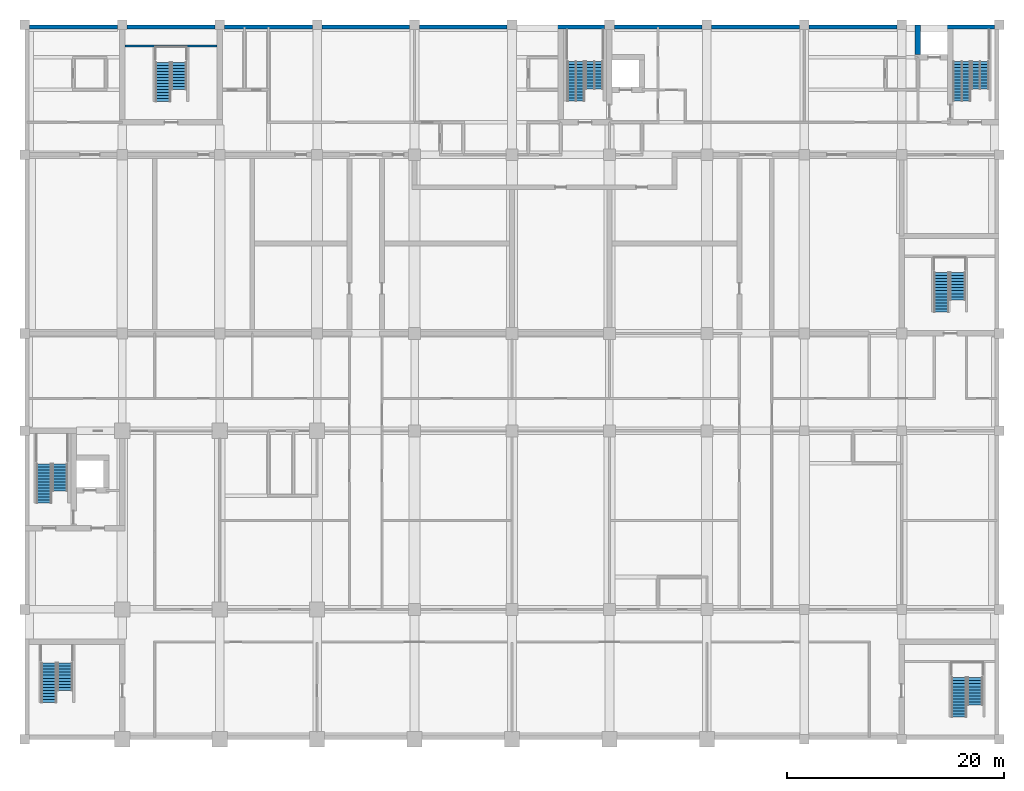
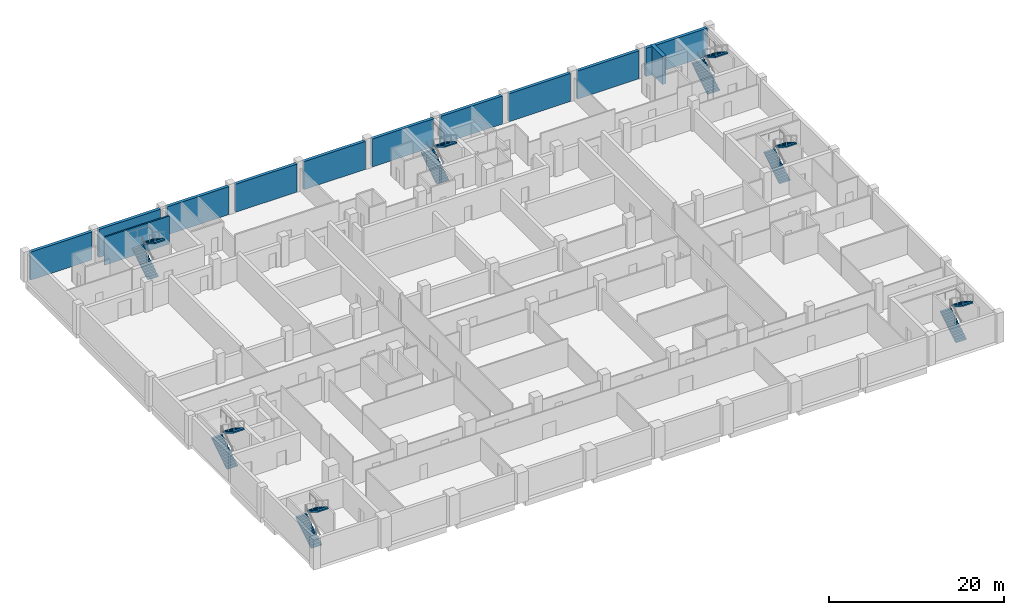
# One storey, part 12 of 16: 14 stair flights, 12 walls, 7 elements without a shape of their own.
"""IFC4 building model written with IfcOpenShell, lengths in metres."""

from ifc_helpers import new_model, si_unit, direction, frame, frame_2d, origin, place, context, subcontext, project, spatial, polyline, rectangle, outline, extrude, material, layer, layer_set, type_object, element, aggregate, save


model = new_model("IFC4")

# Units and contexts
model_context = context("Model", 3, precision=1e-05, world=origin(), true_north=direction((0.0, 1.0)))
body_context = subcontext(model_context, "Body", "Model", "MODEL_VIEW")
ifc_project = project(units=[si_unit("LENGTHUNIT", "METRE"), si_unit("AREAUNIT", "SQUARE_METRE"), si_unit("VOLUMEUNIT", "CUBIC_METRE"), si_unit("PLANEANGLEUNIT", "RADIAN"), si_unit("MASSUNIT", "GRAM", prefix="KILO")], contexts=[model_context])

# Site, building, storey
site_placement = place(None, origin())
site = spatial("IfcSite", under=ifc_project, at=site_placement, CompositionType="ELEMENT")
building_placement = place(site_placement, origin())
building = spatial("IfcBuilding", under=site, at=building_placement, Name="Aurelan Courthouse", CompositionType="ELEMENT")
storey_placement = place(building_placement, frame((0.0, 0.0, -4.199951171875)))
storey = spatial("IfcBuildingStorey", under=building, at=storey_placement, Name="B1", CompositionType="ELEMENT", Elevation=-4.199951171875)

# Walls
ifc_material_1 = material(Name="Concrete C50", Category="concrete")
ifc_layer_1 = layer(ifc_material_1, 0.39990234375)
ifc_layer_set_1 = layer_set([ifc_layer_1], Name="Concrete C50")
wall_type_1 = type_object("IfcWallType", Name="RC retaining wall 400", PredefinedType="SOLIDWALL", material=ifc_layer_set_1)
for number, where, z_axis, x_axis, name in (
    (1, (0.449951171875, 65.800048828125, 0.0), (0.0, 0.0, 1.0), (1.0, 0.0, 0.0), "Retaining wall SW-B1-048"),
    (2, (9.449951171875, 65.800048828125, 0.0), (0.0, 0.0, 1.0), (1.0, 0.0, 0.0), "Retaining wall SW-B1-049"),
    (3, (18.449951171875, 65.800048828125, 0.0), (0.0, 0.0, 1.0), (1.0, 0.0, 0.0), "Retaining wall SW-B1-050"),
    (4, (27.449951171875, 65.800048828125, 0.0), (0.0, 0.0, 1.0), (1.0, 0.0, 0.0), "Retaining wall SW-B1-051"),
    (5, (36.449951171875, 65.800048828125, 0.0), (0.0, 0.0, 1.0), (1.0, 0.0, 0.0), "Retaining wall SW-B1-052"),
    (6, (45.449951171875, 65.800048828125, 0.0), (0.0, 0.0, 1.0), (1.0, 0.0, 0.0), "Retaining wall SW-B1-053"),
    (7, (54.449951171875, 65.800048828125, 0.0), (0.0, 0.0, 1.0), (1.0, 0.0, 0.0), "Retaining wall SW-B1-054"),
    (8, (63.449951171875, 65.800048828125, 0.0), (0.0, 0.0, 1.0), (1.0, 0.0, 0.0), "Retaining wall SW-B1-055"),
    (9, (72.449951171875, 65.800048828125, 0.0), (0.0, 0.0, 1.0), (1.0, 0.0, 0.0), "Retaining wall SW-B1-056"),
    (10, (81.449951171875, 65.800048828125, 0.0), (0.0, 0.0, 1.0), (1.0, 0.0, 0.0), "Retaining wall SW-B1-057"),
):
    element("IfcWall", number, at=place(storey_placement, frame(where, z_axis=z_axis, x_axis=x_axis)), inside=storey, type_object=wall_type_1, Name=name, PredefinedType="SOLIDWALL", context=body_context, shape_type="SweptSolid", body=[
        extrude(rectangle(XDim=8.10009765625, YDim=0.39990234375, at=frame_2d((4.050048828125, 0.0))), origin(), (0.0, 0.0, 1.0), 3.89990234375),
    ])
ifc_layer_2 = layer(ifc_material_1, 0.5)
ifc_layer_set_2 = layer_set([ifc_layer_2], Name="Concrete C50")
wall_type_2 = type_object("IfcWallType", Name="RC shear wall 500", PredefinedType="SHEAR", material=ifc_layer_set_2)
wall_1_placement = place(storey_placement, frame((82.5, 63.25, 0.0), z_axis=(0.0, 0.0, 1.0), x_axis=(0.0, 1.0, 0.0)))
element("IfcWall", 11, at=wall_1_placement, inside=storey, type_object=wall_type_2, Name="Core wall SW-B1-047", PredefinedType="SHEAR", context=body_context, shape_type="SweptSolid", body=[
    extrude(rectangle(XDim=2.75, YDim=0.5, at=frame_2d((1.375, 0.0))), origin(), (0.0, 0.0, 1.0), 3.89990234375),
])
ifc_material_2 = material(Name="Concrete C30", Category="concrete")
ifc_layer_3 = layer(ifc_material_2, 0.199951171875)
ifc_layer_set_3 = layer_set([ifc_layer_3], Name="Concrete C30")
wall_type_3 = type_object("IfcWallType", Name="Stair well wall 200 EI 120 load-bearing", PredefinedType="SHEAR", material=ifc_layer_set_3)
wall_2_placement = place(storey_placement, frame((9.25, 64.044921875, 0.0), z_axis=(0.0, 0.0, 1.0), x_axis=(1.0, 0.0, 0.0)))
element("IfcWall", 12, at=wall_2_placement, inside=storey, type_object=wall_type_3, Name="Stair well wall BS-3-B1 C", PredefinedType="SHEAR", context=body_context, shape_type="SweptSolid", body=[
    extrude(rectangle(XDim=8.5, YDim=0.199951171875, at=frame_2d((4.25, 0.0))), origin(), (0.0, 0.0, 1.0), 3.89990234375),
])

# Stair, stair flights
stair_type_1 = type_object("IfcStairType", Name="Half-turn stair 1400 wide 24 risers", PredefinedType="HALF_TURN_STAIR", material=ifc_material_2)
stair_1_placement = place(storey_placement, origin())
stair_1 = element("IfcStair", 13, at=stair_1_placement, inside=storey, type_object=stair_type_1, Name="Stair BS-1-B1", PredefinedType="HALF_TURN_STAIR")
stair_flight_type_1 = type_object("IfcStairFlightType", Name="Stair flight 1400 wide 14 risers", PredefinedType="STRAIGHT", material=ifc_material_2)
stair_flight_1_placement = place(storey_placement, frame((2.2099609375, 3.39990234375, 0.0), z_axis=(0.0, 0.0, 1.0), x_axis=(0.0, 1.0, 0.0)))
stair_flight_1 = element("IfcStairFlight", 14, at=stair_flight_1_placement, type_object=stair_flight_type_1, Name="Stair BS-1-B1 flight 1", NumberOfRisers=14, NumberOfTreads=13, PredefinedType="STRAIGHT", RiserHeight=0.175, TreadLength=0.28, context=body_context, shape_type="SweptSolid", body=[
    extrude(outline(polyline([(0.0, 0.0), (0.0, 0.175048828125), (0.280029296875, 0.175048828125), (0.280029296875, 0.35009765625), (0.56005859375, 0.35009765625), (0.56005859375, 0.52490234375), (0.840087890625, 0.52490234375), (0.840087890625, 0.699951171875), (1.1201171875, 0.699951171875), (1.1201171875, 0.875), (1.39990234375, 0.875), (1.39990234375, 1.050048828125), (1.679931640625, 1.050048828125), (1.679931640625, 1.22509765625), (1.9599609375, 1.22509765625), (1.9599609375, 1.39990234375), (2.239990234375, 1.39990234375), (2.239990234375, 1.574951171875), (2.52001953125, 1.574951171875), (2.52001953125, 1.75), (2.800048828125, 1.75), (2.800048828125, 1.925048828125), (3.080078125, 1.925048828125), (3.080078125, 2.10009765625), (3.360107421875, 2.10009765625), (3.360107421875, 2.27490234375), (3.639892578125, 2.27490234375), (3.639892578125, 2.449951171875), (3.639892578125, 2.09814453125), (0.28271484375, 0.0), (0.0, 0.0)])), frame((0.0, 0.699951171875, 0.0), z_axis=(0.0, -1.0, 0.0), x_axis=(1.0, 0.0, 0.0)), (0.0, 0.0, 1.0), 1.39990234375),
])
stair_flight_2_placement = place(storey_placement, frame((3.7099609375, 7.0400390625, 2.449951171875), z_axis=(0.0, 0.0, 1.0), x_axis=(0.0, -1.0, 0.0)))
stair_flight_2 = element("IfcStairFlight", 15, at=stair_flight_2_placement, type_object=stair_flight_type_1, Name="Stair BS-1-B1 flight 2", NumberOfRisers=10, NumberOfTreads=9, PredefinedType="STRAIGHT", RiserHeight=0.175, TreadLength=0.28, context=body_context, shape_type="SweptSolid", body=[
    extrude(outline(polyline([(0.0, 0.0), (0.0, 0.175048828125), (0.280029296875, 0.175048828125), (0.280029296875, 0.35009765625), (0.56005859375, 0.35009765625), (0.56005859375, 0.52490234375), (0.840087890625, 0.52490234375), (0.840087890625, 0.699951171875), (1.1201171875, 0.699951171875), (1.1201171875, 0.875), (1.39990234375, 0.875), (1.39990234375, 1.050048828125), (1.679931640625, 1.050048828125), (1.679931640625, 1.22509765625), (1.9599609375, 1.22509765625), (1.9599609375, 1.39990234375), (2.239990234375, 1.39990234375), (2.239990234375, 1.574951171875), (2.52001953125, 1.574951171875), (2.52001953125, 1.75), (2.52001953125, 1.398193359375), (0.28271484375, 0.0), (0.0, 0.0)])), frame((0.0, 0.699951171875, 0.0), z_axis=(0.0, -1.0, 0.0), x_axis=(1.0, 0.0, 0.0)), (0.0, 0.0, 1.0), 1.39990234375),
])
aggregate(stair_1, [stair_flight_1, stair_flight_2])

stair_2_placement = place(storey_placement, origin())
stair_2 = element("IfcStair", 16, at=stair_2_placement, inside=storey, type_object=stair_type_1, Name="Stair BS-2-B1", PredefinedType="HALF_TURN_STAIR")
stair_flight_3_placement = place(storey_placement, frame((86.2900390625, 2.054931640625, 0.0), z_axis=(0.0, 0.0, 1.0), x_axis=(0.0, 1.0, 0.0)))
stair_flight_3 = element("IfcStairFlight", 17, at=stair_flight_3_placement, type_object=stair_flight_type_1, Name="Stair BS-2-B1 flight 1", NumberOfRisers=14, NumberOfTreads=13, PredefinedType="STRAIGHT", RiserHeight=0.175, TreadLength=0.28, context=body_context, shape_type="SweptSolid", body=[
    extrude(outline(polyline([(0.0, 0.0), (0.0, 0.175048828125), (0.280029296875, 0.175048828125), (0.280029296875, 0.35009765625), (0.56005859375, 0.35009765625), (0.56005859375, 0.52490234375), (0.840087890625, 0.52490234375), (0.840087890625, 0.699951171875), (1.1201171875, 0.699951171875), (1.1201171875, 0.875), (1.39990234375, 0.875), (1.39990234375, 1.050048828125), (1.679931640625, 1.050048828125), (1.679931640625, 1.22509765625), (1.9599609375, 1.22509765625), (1.9599609375, 1.39990234375), (2.239990234375, 1.39990234375), (2.239990234375, 1.574951171875), (2.52001953125, 1.574951171875), (2.52001953125, 1.75), (2.800048828125, 1.75), (2.800048828125, 1.925048828125), (3.080078125, 1.925048828125), (3.080078125, 2.10009765625), (3.360107421875, 2.10009765625), (3.360107421875, 2.27490234375), (3.639892578125, 2.27490234375), (3.639892578125, 2.449951171875), (3.639892578125, 2.09814453125), (0.28271484375, 0.0), (0.0, 0.0)])), frame((0.0, 0.699951171875, 0.0), z_axis=(0.0, -1.0, 0.0), x_axis=(1.0, 0.0, 0.0)), (0.0, 0.0, 1.0), 1.39990234375),
])
stair_flight_4_placement = place(storey_placement, frame((87.7900390625, 5.695068359375, 2.449951171875), z_axis=(0.0, 0.0, 1.0), x_axis=(0.0, -1.0, 0.0)))
stair_flight_4 = element("IfcStairFlight", 18, at=stair_flight_4_placement, type_object=stair_flight_type_1, Name="Stair BS-2-B1 flight 2", NumberOfRisers=10, NumberOfTreads=9, PredefinedType="STRAIGHT", RiserHeight=0.175, TreadLength=0.28, context=body_context, shape_type="SweptSolid", body=[
    extrude(outline(polyline([(0.0, 0.0), (0.0, 0.175048828125), (0.280029296875, 0.175048828125), (0.280029296875, 0.35009765625), (0.56005859375, 0.35009765625), (0.56005859375, 0.52490234375), (0.840087890625, 0.52490234375), (0.840087890625, 0.699951171875), (1.1201171875, 0.699951171875), (1.1201171875, 0.875), (1.39990234375, 0.875), (1.39990234375, 1.050048828125), (1.679931640625, 1.050048828125), (1.679931640625, 1.22509765625), (1.9599609375, 1.22509765625), (1.9599609375, 1.39990234375), (2.239990234375, 1.39990234375), (2.239990234375, 1.574951171875), (2.52001953125, 1.574951171875), (2.52001953125, 1.75), (2.52001953125, 1.398193359375), (0.28271484375, 0.0), (0.0, 0.0)])), frame((0.0, 0.699951171875, 0.0), z_axis=(0.0, -1.0, 0.0), x_axis=(1.0, 0.0, 0.0)), (0.0, 0.0, 1.0), 1.39990234375),
])
aggregate(stair_2, [stair_flight_3, stair_flight_4])

stair_3_placement = place(storey_placement, origin())
stair_3 = element("IfcStair", 19, at=stair_3_placement, inside=storey, type_object=stair_type_1, Name="Stair BS-3-B1", PredefinedType="HALF_TURN_STAIR")
stair_flight_5_placement = place(storey_placement, frame((12.75, 58.905029296875, 0.0), z_axis=(0.0, 0.0, 1.0), x_axis=(0.0, 1.0, 0.0)))
stair_flight_5 = element("IfcStairFlight", 20, at=stair_flight_5_placement, type_object=stair_flight_type_1, Name="Stair BS-3-B1 flight 1", NumberOfRisers=14, NumberOfTreads=13, PredefinedType="STRAIGHT", RiserHeight=0.175, TreadLength=0.28, context=body_context, shape_type="SweptSolid", body=[
    extrude(outline(polyline([(0.0, 0.0), (0.0, 0.175048828125), (0.280029296875, 0.175048828125), (0.280029296875, 0.35009765625), (0.56005859375, 0.35009765625), (0.56005859375, 0.52490234375), (0.840087890625, 0.52490234375), (0.840087890625, 0.699951171875), (1.1201171875, 0.699951171875), (1.1201171875, 0.875), (1.39990234375, 0.875), (1.39990234375, 1.050048828125), (1.679931640625, 1.050048828125), (1.679931640625, 1.22509765625), (1.9599609375, 1.22509765625), (1.9599609375, 1.39990234375), (2.239990234375, 1.39990234375), (2.239990234375, 1.574951171875), (2.52001953125, 1.574951171875), (2.52001953125, 1.75), (2.800048828125, 1.75), (2.800048828125, 1.925048828125), (3.080078125, 1.925048828125), (3.080078125, 2.10009765625), (3.360107421875, 2.10009765625), (3.360107421875, 2.27490234375), (3.639892578125, 2.27490234375), (3.639892578125, 2.449951171875), (3.639892578125, 2.09814453125), (0.28271484375, 0.0), (0.0, 0.0)])), frame((0.0, 0.699951171875, 0.0), z_axis=(0.0, -1.0, 0.0), x_axis=(1.0, 0.0, 0.0)), (0.0, 0.0, 1.0), 1.39990234375),
])
stair_flight_6_placement = place(storey_placement, frame((14.25, 62.544921875, 2.449951171875), z_axis=(0.0, 0.0, 1.0), x_axis=(0.0, -1.0, 0.0)))
stair_flight_6 = element("IfcStairFlight", 21, at=stair_flight_6_placement, type_object=stair_flight_type_1, Name="Stair BS-3-B1 flight 2", NumberOfRisers=10, NumberOfTreads=9, PredefinedType="STRAIGHT", RiserHeight=0.175, TreadLength=0.28, context=body_context, shape_type="SweptSolid", body=[
    extrude(outline(polyline([(0.0, 0.0), (0.0, 0.175048828125), (0.280029296875, 0.175048828125), (0.280029296875, 0.35009765625), (0.56005859375, 0.35009765625), (0.56005859375, 0.52490234375), (0.840087890625, 0.52490234375), (0.840087890625, 0.699951171875), (1.1201171875, 0.699951171875), (1.1201171875, 0.875), (1.39990234375, 0.875), (1.39990234375, 1.050048828125), (1.679931640625, 1.050048828125), (1.679931640625, 1.22509765625), (1.9599609375, 1.22509765625), (1.9599609375, 1.39990234375), (2.239990234375, 1.39990234375), (2.239990234375, 1.574951171875), (2.52001953125, 1.574951171875), (2.52001953125, 1.75), (2.52001953125, 1.398193359375), (0.28271484375, 0.0), (0.0, 0.0)])), frame((0.0, 0.699951171875, 0.0), z_axis=(0.0, -1.0, 0.0), x_axis=(1.0, 0.0, 0.0)), (0.0, 0.0, 1.0), 1.39990234375),
])
aggregate(stair_3, [stair_flight_5, stair_flight_6])

stair_4_placement = place(storey_placement, origin())
stair_4 = element("IfcStair", 22, at=stair_4_placement, inside=storey, type_object=stair_type_1, Name="Stair BS-4-B1", PredefinedType="HALF_TURN_STAIR")
stair_flight_7_placement = place(storey_placement, frame((84.675048828125, 39.47998046875, 0.0), z_axis=(0.0, 0.0, 1.0), x_axis=(0.0, 1.0, 0.0)))
stair_flight_7 = element("IfcStairFlight", 23, at=stair_flight_7_placement, type_object=stair_flight_type_1, Name="Stair BS-4-B1 flight 1", NumberOfRisers=14, NumberOfTreads=13, PredefinedType="STRAIGHT", RiserHeight=0.175, TreadLength=0.28, context=body_context, shape_type="SweptSolid", body=[
    extrude(outline(polyline([(0.0, 0.0), (0.0, 0.175048828125), (0.280029296875, 0.175048828125), (0.280029296875, 0.35009765625), (0.56005859375, 0.35009765625), (0.56005859375, 0.52490234375), (0.840087890625, 0.52490234375), (0.840087890625, 0.699951171875), (1.1201171875, 0.699951171875), (1.1201171875, 0.875), (1.39990234375, 0.875), (1.39990234375, 1.050048828125), (1.679931640625, 1.050048828125), (1.679931640625, 1.22509765625), (1.9599609375, 1.22509765625), (1.9599609375, 1.39990234375), (2.239990234375, 1.39990234375), (2.239990234375, 1.574951171875), (2.52001953125, 1.574951171875), (2.52001953125, 1.75), (2.800048828125, 1.75), (2.800048828125, 1.925048828125), (3.080078125, 1.925048828125), (3.080078125, 2.10009765625), (3.360107421875, 2.10009765625), (3.360107421875, 2.27490234375), (3.639892578125, 2.27490234375), (3.639892578125, 2.449951171875), (3.639892578125, 2.09814453125), (0.28271484375, 0.0), (0.0, 0.0)])), frame((0.0, 0.699951171875, 0.0), z_axis=(0.0, -1.0, 0.0), x_axis=(1.0, 0.0, 0.0)), (0.0, 0.0, 1.0), 1.39990234375),
])
stair_flight_8_placement = place(storey_placement, frame((86.175048828125, 43.1201171875, 2.449951171875), z_axis=(0.0, 0.0, 1.0), x_axis=(0.0, -1.0, 0.0)))
stair_flight_8 = element("IfcStairFlight", 24, at=stair_flight_8_placement, type_object=stair_flight_type_1, Name="Stair BS-4-B1 flight 2", NumberOfRisers=10, NumberOfTreads=9, PredefinedType="STRAIGHT", RiserHeight=0.175, TreadLength=0.28, context=body_context, shape_type="SweptSolid", body=[
    extrude(outline(polyline([(0.0, 0.0), (0.0, 0.175048828125), (0.280029296875, 0.175048828125), (0.280029296875, 0.35009765625), (0.56005859375, 0.35009765625), (0.56005859375, 0.52490234375), (0.840087890625, 0.52490234375), (0.840087890625, 0.699951171875), (1.1201171875, 0.699951171875), (1.1201171875, 0.875), (1.39990234375, 0.875), (1.39990234375, 1.050048828125), (1.679931640625, 1.050048828125), (1.679931640625, 1.22509765625), (1.9599609375, 1.22509765625), (1.9599609375, 1.39990234375), (2.239990234375, 1.39990234375), (2.239990234375, 1.574951171875), (2.52001953125, 1.574951171875), (2.52001953125, 1.75), (2.52001953125, 1.398193359375), (0.28271484375, 0.0), (0.0, 0.0)])), frame((0.0, 0.699951171875, 0.0), z_axis=(0.0, -1.0, 0.0), x_axis=(1.0, 0.0, 0.0)), (0.0, 0.0, 1.0), 1.39990234375),
])
aggregate(stair_4, [stair_flight_7, stair_flight_8])

stair_5_placement = place(storey_placement, origin())
stair_5 = element("IfcStair", 25, at=stair_5_placement, inside=storey, type_object=stair_type_1, Name="Stair ST-5B-B1", PredefinedType="HALF_TURN_STAIR")
stair_flight_9_placement = place(storey_placement, frame((1.760009765625, 21.81005859375, 0.0), z_axis=(0.0, 0.0, 1.0), x_axis=(0.0, 1.0, 0.0)))
stair_flight_9 = element("IfcStairFlight", 26, at=stair_flight_9_placement, type_object=stair_flight_type_1, Name="Stair ST-5B-B1 flight 1", NumberOfRisers=14, NumberOfTreads=13, PredefinedType="STRAIGHT", RiserHeight=0.175, TreadLength=0.28, context=body_context, shape_type="SweptSolid", body=[
    extrude(outline(polyline([(0.0, 0.0), (0.0, 0.175048828125), (0.280029296875, 0.175048828125), (0.280029296875, 0.35009765625), (0.56005859375, 0.35009765625), (0.56005859375, 0.52490234375), (0.840087890625, 0.52490234375), (0.840087890625, 0.699951171875), (1.1201171875, 0.699951171875), (1.1201171875, 0.875), (1.39990234375, 0.875), (1.39990234375, 1.050048828125), (1.679931640625, 1.050048828125), (1.679931640625, 1.22509765625), (1.9599609375, 1.22509765625), (1.9599609375, 1.39990234375), (2.239990234375, 1.39990234375), (2.239990234375, 1.574951171875), (2.52001953125, 1.574951171875), (2.52001953125, 1.75), (2.800048828125, 1.75), (2.800048828125, 1.925048828125), (3.080078125, 1.925048828125), (3.080078125, 2.10009765625), (3.360107421875, 2.10009765625), (3.360107421875, 2.27490234375), (3.639892578125, 2.27490234375), (3.639892578125, 2.449951171875), (3.639892578125, 2.09814453125), (0.28271484375, 0.0), (0.0, 0.0)])), frame((0.0, 0.699951171875, 0.0), z_axis=(0.0, -1.0, 0.0), x_axis=(1.0, 0.0, 0.0)), (0.0, 0.0, 1.0), 1.39990234375),
])
stair_flight_10_placement = place(storey_placement, frame((3.260009765625, 25.449951171875, 2.449951171875), z_axis=(0.0, 0.0, 1.0), x_axis=(0.0, -1.0, 0.0)))
stair_flight_10 = element("IfcStairFlight", 27, at=stair_flight_10_placement, type_object=stair_flight_type_1, Name="Stair ST-5B-B1 flight 2", NumberOfRisers=10, NumberOfTreads=9, PredefinedType="STRAIGHT", RiserHeight=0.175, TreadLength=0.28, context=body_context, shape_type="SweptSolid", body=[
    extrude(outline(polyline([(0.0, 0.0), (0.0, 0.175048828125), (0.280029296875, 0.175048828125), (0.280029296875, 0.35009765625), (0.56005859375, 0.35009765625), (0.56005859375, 0.52490234375), (0.840087890625, 0.52490234375), (0.840087890625, 0.699951171875), (1.1201171875, 0.699951171875), (1.1201171875, 0.875), (1.39990234375, 0.875), (1.39990234375, 1.050048828125), (1.679931640625, 1.050048828125), (1.679931640625, 1.22509765625), (1.9599609375, 1.22509765625), (1.9599609375, 1.39990234375), (2.239990234375, 1.39990234375), (2.239990234375, 1.574951171875), (2.52001953125, 1.574951171875), (2.52001953125, 1.75), (2.52001953125, 1.398193359375), (0.28271484375, 0.0), (0.0, 0.0)])), frame((0.0, 0.699951171875, 0.0), z_axis=(0.0, -1.0, 0.0), x_axis=(1.0, 0.0, 0.0)), (0.0, 0.0, 1.0), 1.39990234375),
])
aggregate(stair_5, [stair_flight_9, stair_flight_10])

stair_type_2 = type_object("IfcStairType", Name="Half-turn stair 1600 wide 24 risers", PredefinedType="HALF_TURN_STAIR", material=ifc_material_2)
stair_6_placement = place(storey_placement, origin())
stair_6 = element("IfcStair", 28, at=stair_6_placement, inside=storey, type_object=stair_type_2, Name="Stair ST-2A-B1", PredefinedType="HALF_TURN_STAIR")
stair_flight_type_2 = type_object("IfcStairFlightType", Name="Stair flight 1600 wide 14 risers", PredefinedType="STRAIGHT", material=ifc_material_2)
stair_flight_11_placement = place(storey_placement, frame((50.89990234375, 58.9599609375, 0.0), z_axis=(0.0, 0.0, 1.0), x_axis=(0.0, 1.0, 0.0)))
stair_flight_11 = element("IfcStairFlight", 29, at=stair_flight_11_placement, type_object=stair_flight_type_2, Name="Stair ST-2A-B1 flight 1", NumberOfRisers=14, NumberOfTreads=13, PredefinedType="STRAIGHT", RiserHeight=0.175, TreadLength=0.28, context=body_context, shape_type="SweptSolid", body=[
    extrude(outline(polyline([(0.0, 0.0), (0.0, 0.175048828125), (0.280029296875, 0.175048828125), (0.280029296875, 0.35009765625), (0.56005859375, 0.35009765625), (0.56005859375, 0.52490234375), (0.840087890625, 0.52490234375), (0.840087890625, 0.699951171875), (1.1201171875, 0.699951171875), (1.1201171875, 0.875), (1.39990234375, 0.875), (1.39990234375, 1.050048828125), (1.679931640625, 1.050048828125), (1.679931640625, 1.22509765625), (1.9599609375, 1.22509765625), (1.9599609375, 1.39990234375), (2.239990234375, 1.39990234375), (2.239990234375, 1.574951171875), (2.52001953125, 1.574951171875), (2.52001953125, 1.75), (2.800048828125, 1.75), (2.800048828125, 1.925048828125), (3.080078125, 1.925048828125), (3.080078125, 2.10009765625), (3.360107421875, 2.10009765625), (3.360107421875, 2.27490234375), (3.639892578125, 2.27490234375), (3.639892578125, 2.449951171875), (3.639892578125, 2.09814453125), (0.28271484375, 0.0), (0.0, 0.0)])), frame((0.0, 0.800048828125, 0.0), z_axis=(0.0, -1.0, 0.0), x_axis=(1.0, 0.0, 0.0)), (0.0, 0.0, 1.0), 1.60009765625),
])
stair_flight_12_placement = place(storey_placement, frame((52.60009765625, 62.60009765625, 2.449951171875), z_axis=(0.0, 0.0, 1.0), x_axis=(0.0, -1.0, 0.0)))
stair_flight_12 = element("IfcStairFlight", 30, at=stair_flight_12_placement, type_object=stair_flight_type_2, Name="Stair ST-2A-B1 flight 2", NumberOfRisers=10, NumberOfTreads=9, PredefinedType="STRAIGHT", RiserHeight=0.175, TreadLength=0.28, context=body_context, shape_type="SweptSolid", body=[
    extrude(outline(polyline([(0.0, 0.0), (0.0, 0.175048828125), (0.280029296875, 0.175048828125), (0.280029296875, 0.35009765625), (0.56005859375, 0.35009765625), (0.56005859375, 0.52490234375), (0.840087890625, 0.52490234375), (0.840087890625, 0.699951171875), (1.1201171875, 0.699951171875), (1.1201171875, 0.875), (1.39990234375, 0.875), (1.39990234375, 1.050048828125), (1.679931640625, 1.050048828125), (1.679931640625, 1.22509765625), (1.9599609375, 1.22509765625), (1.9599609375, 1.39990234375), (2.239990234375, 1.39990234375), (2.239990234375, 1.574951171875), (2.52001953125, 1.574951171875), (2.52001953125, 1.75), (2.52001953125, 1.398193359375), (0.28271484375, 0.0), (0.0, 0.0)])), frame((0.0, 0.800048828125, 0.0), z_axis=(0.0, -1.0, 0.0), x_axis=(1.0, 0.0, 0.0)), (0.0, 0.0, 1.0), 1.60009765625),
])
aggregate(stair_6, [stair_flight_11, stair_flight_12])

stair_7_placement = place(storey_placement, origin())
stair_7 = element("IfcStair", 31, at=stair_7_placement, inside=storey, type_object=stair_type_2, Name="Stair ST-3B-B1", PredefinedType="HALF_TURN_STAIR")
stair_flight_13_placement = place(storey_placement, frame((86.550048828125, 58.9599609375, 0.0), z_axis=(0.0, 0.0, 1.0), x_axis=(0.0, 1.0, 0.0)))
stair_flight_13 = element("IfcStairFlight", 32, at=stair_flight_13_placement, type_object=stair_flight_type_2, Name="Stair ST-3B-B1 flight 1", NumberOfRisers=14, NumberOfTreads=13, PredefinedType="STRAIGHT", RiserHeight=0.175, TreadLength=0.28, context=body_context, shape_type="SweptSolid", body=[
    extrude(outline(polyline([(0.0, 0.0), (0.0, 0.175048828125), (0.280029296875, 0.175048828125), (0.280029296875, 0.35009765625), (0.56005859375, 0.35009765625), (0.56005859375, 0.52490234375), (0.840087890625, 0.52490234375), (0.840087890625, 0.699951171875), (1.1201171875, 0.699951171875), (1.1201171875, 0.875), (1.39990234375, 0.875), (1.39990234375, 1.050048828125), (1.679931640625, 1.050048828125), (1.679931640625, 1.22509765625), (1.9599609375, 1.22509765625), (1.9599609375, 1.39990234375), (2.239990234375, 1.39990234375), (2.239990234375, 1.574951171875), (2.52001953125, 1.574951171875), (2.52001953125, 1.75), (2.800048828125, 1.75), (2.800048828125, 1.925048828125), (3.080078125, 1.925048828125), (3.080078125, 2.10009765625), (3.360107421875, 2.10009765625), (3.360107421875, 2.27490234375), (3.639892578125, 2.27490234375), (3.639892578125, 2.449951171875), (3.639892578125, 2.09814453125), (0.28271484375, 0.0), (0.0, 0.0)])), frame((0.0, 0.800048828125, 0.0), z_axis=(0.0, -1.0, 0.0), x_axis=(1.0, 0.0, 0.0)), (0.0, 0.0, 1.0), 1.60009765625),
])
stair_flight_14_placement = place(storey_placement, frame((88.25, 62.60009765625, 2.449951171875), z_axis=(0.0, 0.0, 1.0), x_axis=(0.0, -1.0, 0.0)))
stair_flight_14 = element("IfcStairFlight", 33, at=stair_flight_14_placement, type_object=stair_flight_type_2, Name="Stair ST-3B-B1 flight 2", NumberOfRisers=10, NumberOfTreads=9, PredefinedType="STRAIGHT", RiserHeight=0.175, TreadLength=0.28, context=body_context, shape_type="SweptSolid", body=[
    extrude(outline(polyline([(0.0, 0.0), (0.0, 0.175048828125), (0.280029296875, 0.175048828125), (0.280029296875, 0.35009765625), (0.56005859375, 0.35009765625), (0.56005859375, 0.52490234375), (0.840087890625, 0.52490234375), (0.840087890625, 0.699951171875), (1.1201171875, 0.699951171875), (1.1201171875, 0.875), (1.39990234375, 0.875), (1.39990234375, 1.050048828125), (1.679931640625, 1.050048828125), (1.679931640625, 1.22509765625), (1.9599609375, 1.22509765625), (1.9599609375, 1.39990234375), (2.239990234375, 1.39990234375), (2.239990234375, 1.574951171875), (2.52001953125, 1.574951171875), (2.52001953125, 1.75), (2.52001953125, 1.398193359375), (0.28271484375, 0.0), (0.0, 0.0)])), frame((0.0, 0.800048828125, 0.0), z_axis=(0.0, -1.0, 0.0), x_axis=(1.0, 0.0, 0.0)), (0.0, 0.0, 1.0), 1.60009765625),
])
aggregate(stair_7, [stair_flight_13, stair_flight_14])

save(model, "model.ifc")
